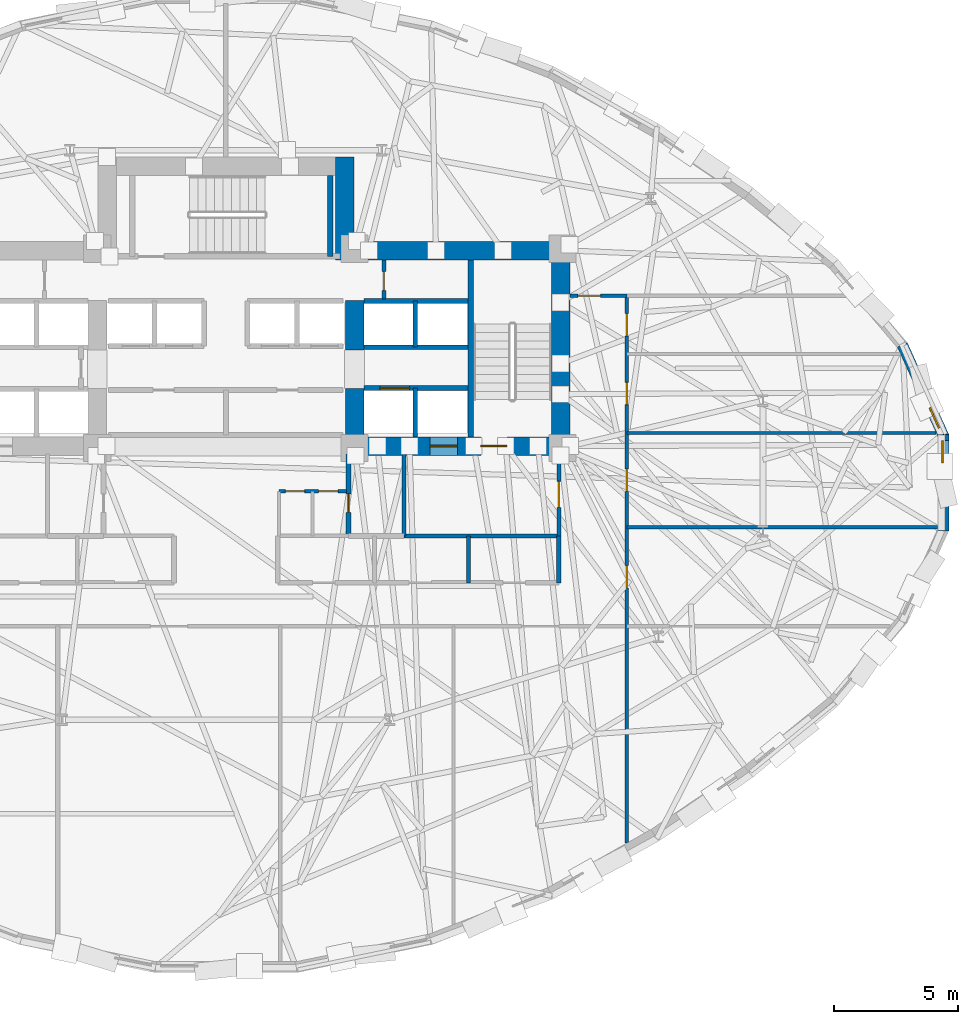
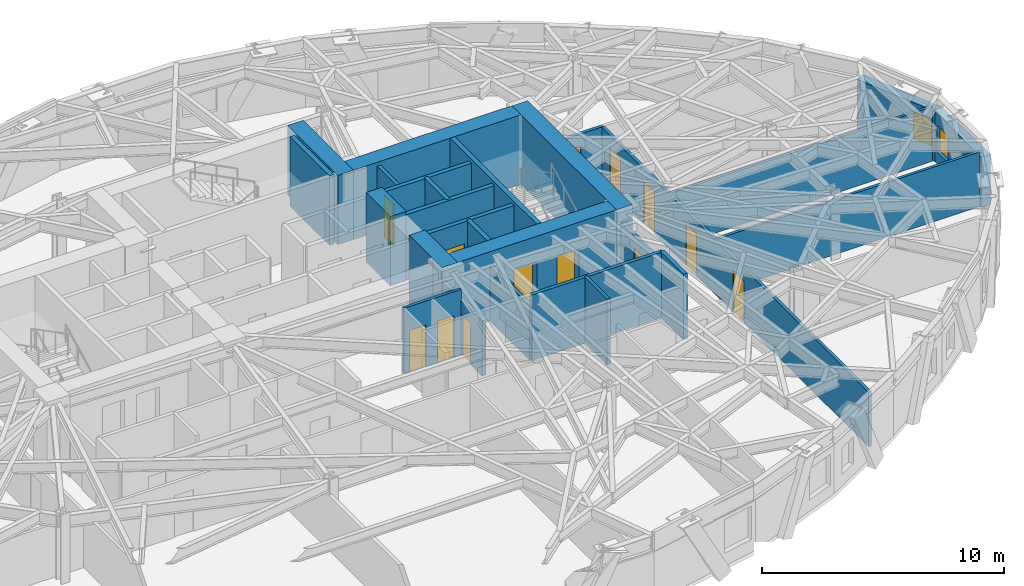
# One storey, part 9 of 14: 27 walls, 13 doors, 2 windows, 15 openings.
"""IFC4 building model written with IfcOpenShell, lengths in metres."""

import ifcopenshell
import ifcopenshell.guid

model = None  # the IFC model being written
_history = None  # IfcOwnerHistory: only IFC2X3 demands one
_inside = {}  # id of a spatial element -> (the spatial element, [elements in it])
_under = {}  # id of a project, library or spatial element -> (it, [spatial elements below it])
_declared = {}  # id of a project -> (the project, [libraries it declares])
_typed = {}  # id of a type object -> (the type object, [elements of that type])
_made_of = {}  # id of a material, layer set ... -> (it, [elements and type objects made of it])


def new_model(schema):
    """Start an empty IFC model of exactly this schema.

    Asked for "IFC4X3", IfcOpenShell would pick the latest addendum, in which some entities
    have other attributes; the version numbers below select the first issue.
    IFC2X3 requires an IfcOwnerHistory on every rooted entity: one is made here for all.
    """
    global model, _history
    if schema == "IFC4X3":
        model = ifcopenshell.file(schema_version=(4, 3, 0, 0))
    else:
        model = ifcopenshell.file(schema=schema)
    _inside.clear()
    _under.clear()
    _declared.clear()
    _typed.clear()
    _made_of.clear()
    _history = None
    if model.schema == "IFC2X3":
        org = make("IfcOrganization", Name="unknown")
        user = make(
            "IfcPersonAndOrganization",
            ThePerson=make("IfcPerson", FamilyName="unknown"),
            TheOrganization=org,
        )
        app = make(
            "IfcApplication",
            ApplicationDeveloper=org,
            Version="unknown",
            ApplicationFullName="unknown",
            ApplicationIdentifier="unknown",
        )
        _history = make(
            "IfcOwnerHistory",
            OwningUser=user,
            OwningApplication=app,
            ChangeAction="ADDED",
            CreationDate=0,
        )
    return model


def make(cls, **values):
    """One entity of the class cls with the attributes given. An attribute that is None is left unset."""
    return model.create_entity(
        cls, **{name: value for name, value in values.items() if value is not None}
    )


def rooted(cls, **values):
    """An entity with a GlobalId (a new one), such as an element, a storey or a relation."""
    return make(cls, GlobalId=ifcopenshell.guid.new(), OwnerHistory=_history, **values)


def si_unit(unit_type, name, prefix=None):
    """IfcSIUnit, for example si_unit("LENGTHUNIT", "METRE", prefix="MILLI")."""
    return make("IfcSIUnit", UnitType=unit_type, Prefix=prefix, Name=name)


def assignment(units):
    """IfcUnitAssignment: the units of a project."""
    return None if units is None else make("IfcUnitAssignment", Units=units)


def point(xyz):
    """IfcCartesianPoint."""
    return None if xyz is None else make("IfcCartesianPoint", Coordinates=xyz)


def direction(xyz):
    """IfcDirection."""
    return None if xyz is None else make("IfcDirection", DirectionRatios=xyz)


def frame(location, z_axis=None, x_axis=None):
    """IfcAxis2Placement3D, a coordinate frame: its origin and axes. An axis left out is left unset."""
    return make(
        "IfcAxis2Placement3D",
        Location=point(location),
        Axis=direction(z_axis),
        RefDirection=direction(x_axis),
    )


def frame_2d(location, x_axis=None):
    """IfcAxis2Placement2D, a coordinate frame in the plane: its origin and x axis."""
    return make(
        "IfcAxis2Placement2D", Location=point(location), RefDirection=direction(x_axis)
    )


def origin():
    """The frame at (0, 0, 0) with its axes left unset."""
    return frame((0.0, 0.0, 0.0))


def place(relative_to, where):
    """IfcLocalPlacement: puts the frame where relative to a parent placement (None: the world)."""
    return make(
        "IfcLocalPlacement", PlacementRelTo=relative_to, RelativePlacement=where
    )


def context(
    kind, dimensions, precision=None, world=None, true_north=None, identifier=None
):
    """IfcGeometricRepresentationContext, for example the 3D "Model" context."""
    return make(
        "IfcGeometricRepresentationContext",
        ContextIdentifier=identifier,
        ContextType=kind,
        CoordinateSpaceDimension=dimensions,
        Precision=precision,
        WorldCoordinateSystem=world,
        TrueNorth=true_north,
    )


def subcontext(parent, identifier, kind, view, scale=None):
    """IfcGeometricRepresentationSubContext, for example "Body" below "Model"."""
    return make(
        "IfcGeometricRepresentationSubContext",
        ContextIdentifier=identifier,
        ContextType=kind,
        ParentContext=parent,
        TargetScale=scale,
        TargetView=view,
    )


def project(units=None, contexts=None):
    """IfcProject with its units and contexts."""
    return rooted(
        "IfcProject",
        Name="project",
        RepresentationContexts=contexts,
        UnitsInContext=assignment(units),
    )


def spatial(cls, under=None, at=None, **own):
    """A site, building, storey or space (cls), placed at a placement, below another one or the project."""
    s = rooted(cls, ObjectPlacement=at, **own)
    if under is not None:
        _under.setdefault(under.id(), (under, []))[1].append(s)
    return s


def profile(cls, at=None, kind="AREA", **sizes):
    """A parametric profile (cls). Its sizes go by their IFC names, for example OverallWidth=200.0."""
    return make(cls, ProfileType=kind, Position=at, **sizes)


def rectangle(**sizes):
    """IfcRectangleProfileDef."""
    return profile("IfcRectangleProfileDef", **sizes)


def extrude(swept, where, along, depth):
    """IfcExtrudedAreaSolid: the profile swept, set in the frame where, extruded along a direction by depth."""
    return make(
        "IfcExtrudedAreaSolid",
        SweptArea=swept,
        Position=where,
        ExtrudedDirection=direction(along),
        Depth=depth,
    )


def shape(context_of_items, identifier, shape_type, items):
    """IfcShapeRepresentation: the items that make up one representation, for example the "Body"."""
    return make(
        "IfcShapeRepresentation",
        ContextOfItems=context_of_items,
        RepresentationIdentifier=identifier,
        RepresentationType=shape_type,
        Items=items,
    )


def material(Name=None, Category=None):
    """IfcMaterial."""
    return make("IfcMaterial", Name=Name, Category=Category)


def layer(
    of_material, thickness, ventilated=None, Name=None, Category=None, Priority=None
):
    """IfcMaterialLayer: one layer of a wall or slab, of a material (None: an air gap)."""
    return make(
        "IfcMaterialLayer",
        Material=of_material,
        LayerThickness=thickness,
        IsVentilated=ventilated,
        Name=Name,
        Category=Category,
        Priority=Priority,
    )


def layer_set(layers, Name=None):
    """IfcMaterialLayerSet."""
    return make("IfcMaterialLayerSet", MaterialLayers=layers, LayerSetName=Name)


def made_of(thing, what):
    """Note that an element or type object is made of a material, layer set ...; save() writes the relation."""
    if what is not None:
        _made_of.setdefault(what.id(), (what, []))[1].append(thing)
    return thing


def type_object(cls, material=None, **own):
    """A type object (cls), such as IfcWallType, which elements share."""
    return made_of(rooted(cls, **own), material)


def element(
    cls,
    number,
    at=None,
    inside=None,
    cuts=None,
    type_object=None,
    material=None,
    context=None,
    identifier="Body",
    shape_type=None,
    held_by="IfcProductDefinitionShape",
    body=None,
    shapes=None,
    **own,
):
    """One element of the class cls, such as IfcWall. Its Tag is "e" and its number.

    at: its placement. inside: the storey or other place that contains it. cuts: it is an
    opening in that element (IfcRelVoidsElement). A single representation is given by context,
    identifier, shape_type and body (its items); several are given by shapes. held_by: the class
    of the entity that holds the representations. save() writes the other relations.
    """
    e = rooted(cls, Tag="e%d" % number, ObjectPlacement=at, **own)
    if body is not None:
        shapes = [shape(context, identifier, shape_type, body)]
    if shapes is not None:
        e.Representation = make(held_by, Representations=shapes)
    if inside is not None:
        _inside.setdefault(inside.id(), (inside, []))[1].append(e)
    if cuts is not None:
        rooted(
            "IfcRelVoidsElement", RelatingBuildingElement=cuts, RelatedOpeningElement=e
        )
    if type_object is not None:
        _typed.setdefault(type_object.id(), (type_object, []))[1].append(e)
    return made_of(e, material)


def fill(opening, filler):
    """IfcRelFillsElement: the door or window that sits in an opening."""
    return rooted(
        "IfcRelFillsElement",
        RelatingOpeningElement=opening,
        RelatedBuildingElement=filler,
    )


def aggregate(whole, parts):
    """IfcRelAggregates: a whole, such as a stair, and the parts it consists of."""
    return rooted("IfcRelAggregates", RelatingObject=whole, RelatedObjects=parts)


def save(model, path):
    """Write the relations noted so far, then the file.

    IfcRelAggregates (storeys below a building ...), IfcRelContainedInSpatialStructure (elements
    in a storey), IfcRelDefinesByType, IfcRelAssociatesMaterial and IfcRelDeclares: one each for
    every whole, place, type object, material and project.
    """
    for whole, parts in _under.values():
        aggregate(whole, parts)
    for where, things in _inside.values():
        rooted(
            "IfcRelContainedInSpatialStructure",
            RelatedElements=things,
            RelatingStructure=where,
        )
    for kind, things in _typed.values():
        rooted("IfcRelDefinesByType", RelatedObjects=things, RelatingType=kind)
    for what, things in _made_of.values():
        rooted("IfcRelAssociatesMaterial", RelatedObjects=things, RelatingMaterial=what)
    for by, libraries in _declared.values():
        rooted("IfcRelDeclares", RelatingContext=by, RelatedDefinitions=libraries)
    model.write(path)


model = new_model("IFC4")

# Units and contexts
model_context = context("Model", 3, precision=1e-05, world=origin(), true_north=direction((0.0, 1.0)))
body_context = subcontext(model_context, "Body", "Model", "MODEL_VIEW")
ifc_project = project(units=[si_unit("LENGTHUNIT", "METRE"), si_unit("AREAUNIT", "SQUARE_METRE"), si_unit("VOLUMEUNIT", "CUBIC_METRE"), si_unit("PLANEANGLEUNIT", "RADIAN"), si_unit("MASSUNIT", "GRAM", prefix="KILO")], contexts=[model_context])

# Site, building, storey
site_placement = place(None, origin())
site = spatial("IfcSite", under=ifc_project, at=site_placement, CompositionType="ELEMENT")
building_placement = place(site_placement, origin())
building = spatial("IfcBuilding", under=site, at=building_placement, Name="Keldmark Tower", CompositionType="ELEMENT")
storey_placement = place(building_placement, frame((0.0, 0.0, 86.10009765625)))
storey = spatial("IfcBuildingStorey", under=building, at=storey_placement, Name="L22", CompositionType="ELEMENT", Elevation=86.10009765625)

# Wall, openings, doors
ifc_material_1 = material(Name="Acoustic Double-Layer Gypsum Corridor Partition", Category="gypsum")
ifc_layer_1 = layer(ifc_material_1, 0.139892578125)
ifc_layer_set_1 = layer_set([ifc_layer_1], Name="Acoustic Double-Layer Gypsum Corridor Partition")
wall_type_1 = type_object("IfcWallType", Name="Acoustic Corridor Partition 140 mm", PredefinedType="PARTITIONING", material=ifc_layer_set_1)
wall_1_placement = place(storey_placement, frame((16.199951171875, -14.554443359375, 0.0), z_axis=(0.0, 0.0, 1.0), x_axis=(0.0, 1.0, 0.0)))
wall_1 = element("IfcWall", 1, at=wall_1_placement, inside=storey, type_object=wall_type_1, Name="L22 Acoustic Corridor Partition 140 mm COR-E", PredefinedType="PARTITIONING", context=body_context, shape_type="SweptSolid", body=[
    extrude(rectangle(XDim=22.1044921875, YDim=0.139892578125, at=frame_2d((11.05224609375, 0.0))), origin(), (0.0, 0.0, 1.0), 2.7509765625),
])
opening_1_placement = place(wall_1_placement, frame((10.30419921875, 0.0, 0.0)))
opening_1 = element("IfcOpeningElement", 2, at=opening_1_placement, cuts=wall_1, Name="Opening D-IN090", PredefinedType="OPENING", context=body_context, shape_type="SweptSolid", body=[
    extrude(rectangle(XDim=0.89990234375, YDim=2.10009765625, at=frame_2d((0.449951171875, 1.050048828125))), frame((0.0, 0.079833984375, 0.0), z_axis=(0.0, -1.0, 0.0), x_axis=(1.0, 0.0, 0.0)), (0.0, 0.0, 1.0), 0.159912109375),
])
opening_2_placement = place(wall_1_placement, frame((14.204345703125, 0.0, 0.0)))
opening_2 = element("IfcOpeningElement", 3, at=opening_2_placement, cuts=wall_1, Name="Opening D-IN090", PredefinedType="OPENING", context=body_context, shape_type="SweptSolid", body=[
    extrude(rectangle(XDim=0.89990234375, YDim=2.10009765625, at=frame_2d((0.449951171875, 1.050048828125))), frame((0.0, 0.079833984375, 0.0), z_axis=(0.0, -1.0, 0.0), x_axis=(1.0, 0.0, 0.0)), (0.0, 0.0, 1.0), 0.159912109375),
])
opening_3_placement = place(wall_1_placement, frame((17.704345703125, 0.0, 0.0)))
opening_3 = element("IfcOpeningElement", 4, at=opening_3_placement, cuts=wall_1, Name="Opening D-IN090", PredefinedType="OPENING", context=body_context, shape_type="SweptSolid", body=[
    extrude(rectangle(XDim=0.89990234375, YDim=2.10009765625, at=frame_2d((0.449951171875, 1.050048828125))), frame((0.0, 0.079833984375, 0.0), z_axis=(0.0, -1.0, 0.0), x_axis=(1.0, 0.0, 0.0)), (0.0, 0.0, 1.0), 0.159912109375),
])
opening_4_placement = place(wall_1_placement, frame((20.479248046875, 0.0, 0.0)))
opening_4 = element("IfcOpeningElement", 5, at=opening_4_placement, cuts=wall_1, Name="Opening D-IN090", PredefinedType="OPENING", context=body_context, shape_type="SweptSolid", body=[
    extrude(rectangle(XDim=0.89990234375, YDim=2.10009765625, at=frame_2d((0.449951171875, 1.050048828125))), frame((0.0, 0.079833984375, 0.0), z_axis=(0.0, -1.0, 0.0), x_axis=(1.0, 0.0, 0.0)), (0.0, 0.0, 1.0), 0.159912109375),
])
ifc_material_2 = material(Name="Stained American White Oak Veneer", Category="wood")
door_type_1 = type_object("IfcDoorType", Name="Interior Door 900x2100", OperationType="NOTDEFINED", PredefinedType="DOOR", material=ifc_material_2)
door_1_placement = place(opening_1_placement, origin())
door_1 = element("IfcDoor", 6, at=door_1_placement, inside=storey, type_object=door_type_1, Name="L22 Interior Door 900x2100 D-ER-1-L22", OperationType="SINGLE_SWING_RIGHT", OverallHeight=2.10009765625, OverallWidth=0.89990234375, PredefinedType="DOOR", context=body_context, shape_type="SweptSolid", body=[
    extrude(rectangle(XDim=0.89990234375, YDim=2.10009765625, at=frame_2d((0.449951171875, 1.050048828125))), frame((0.0, 0.02490234375, 0.0), z_axis=(0.0, -1.0, 0.0), x_axis=(1.0, 0.0, 0.0)), (0.0, 0.0, 1.0), 0.050048828125),
])
fill(opening_1, door_1)
door_2_placement = place(opening_2_placement, origin())
door_2 = element("IfcDoor", 7, at=door_2_placement, inside=storey, type_object=door_type_1, Name="L22 Interior Door 900x2100 D-ER-2-L22", OperationType="SINGLE_SWING_LEFT", OverallHeight=2.10009765625, OverallWidth=0.89990234375, PredefinedType="DOOR", context=body_context, shape_type="SweptSolid", body=[
    extrude(rectangle(XDim=0.89990234375, YDim=2.10009765625, at=frame_2d((0.449951171875, 1.050048828125))), frame((0.0, 0.02490234375, 0.0), z_axis=(0.0, -1.0, 0.0), x_axis=(1.0, 0.0, 0.0)), (0.0, 0.0, 1.0), 0.050048828125),
])
fill(opening_2, door_2)
door_3_placement = place(opening_3_placement, origin())
door_3 = element("IfcDoor", 8, at=door_3_placement, inside=storey, type_object=door_type_1, Name="L22 Interior Door 900x2100 D-ER-3-L22", OperationType="SINGLE_SWING_RIGHT", OverallHeight=2.10009765625, OverallWidth=0.89990234375, PredefinedType="DOOR", context=body_context, shape_type="SweptSolid", body=[
    extrude(rectangle(XDim=0.89990234375, YDim=2.10009765625, at=frame_2d((0.449951171875, 1.050048828125))), frame((0.0, 0.02490234375, 0.0), z_axis=(0.0, -1.0, 0.0), x_axis=(1.0, 0.0, 0.0)), (0.0, 0.0, 1.0), 0.050048828125),
])
fill(opening_3, door_3)
door_4_placement = place(opening_4_placement, origin())
door_4 = element("IfcDoor", 9, at=door_4_placement, inside=storey, type_object=door_type_1, Name="L22 Interior Door 900x2100 D-ER-4-L22", OperationType="SINGLE_SWING_LEFT", OverallHeight=2.10009765625, OverallWidth=0.89990234375, PredefinedType="DOOR", context=body_context, shape_type="SweptSolid", body=[
    extrude(rectangle(XDim=0.89990234375, YDim=2.10009765625, at=frame_2d((0.449951171875, 1.050048828125))), frame((0.0, 0.02490234375, 0.0), z_axis=(0.0, -1.0, 0.0), x_axis=(1.0, 0.0, 0.0)), (0.0, 0.0, 1.0), 0.050048828125),
])
fill(opening_4, door_4)

# Wall, opening, door
wall_2_placement = place(storey_placement, frame((13.89990234375, 7.550048828125, 0.0), z_axis=(0.0, 0.0, 1.0), x_axis=(1.0, 0.0, 0.0)))
wall_2 = element("IfcWall", 10, at=wall_2_placement, inside=storey, type_object=wall_type_1, Name="L22 Acoustic Corridor Partition 140 mm COR-EN-CAP", PredefinedType="PARTITIONING", context=body_context, shape_type="SweptSolid", body=[
    extrude(rectangle(XDim=2.300048828125, YDim=0.139892578125, at=frame_2d((1.14990234375, 0.0))), origin(), (0.0, 0.0, 1.0), 2.762939453125),
])
opening_5_placement = place(wall_2_placement, frame((0.320068359375, 0.0, 0.0)))
opening_5 = element("IfcOpeningElement", 11, at=opening_5_placement, cuts=wall_2, Name="Opening D-EX092", PredefinedType="OPENING", context=body_context, shape_type="SweptSolid", body=[
    extrude(rectangle(XDim=0.919921875, YDim=2.14990234375, at=frame_2d((0.4599609375, 1.074951171875))), frame((0.0, 0.079833984375, 0.0), z_axis=(0.0, -1.0, 0.0), x_axis=(1.0, 0.0, 0.0)), (0.0, 0.0, 1.0), 0.159912109375),
])
ifc_material_3 = material(Name="Flush American Ash Executive Office Door", Category="wood")
door_type_2 = type_object("IfcDoorType", Name="Executive Office Door 920x2150", OperationType="NOTDEFINED", PredefinedType="DOOR", material=ifc_material_3)
door_5_placement = place(opening_5_placement, origin())
door_5 = element("IfcDoor", 12, at=door_5_placement, inside=storey, type_object=door_type_2, Name="L22 Executive Office Door 920x2150 D-NRNE-L22", OperationType="SINGLE_SWING_RIGHT", OverallHeight=2.14990234375, OverallWidth=0.919921875, PredefinedType="DOOR", context=body_context, shape_type="SweptSolid", body=[
    extrude(rectangle(XDim=0.919921875, YDim=2.14990234375, at=frame_2d((0.4599609375, 1.074951171875))), frame((0.0, 0.02490234375, 0.0), z_axis=(0.0, -1.0, 0.0), x_axis=(1.0, 0.0, 0.0)), (0.0, 0.0, 1.0), 0.050048828125),
])
fill(opening_5, door_5)

# Wall
ifc_material_4 = material(Name="Heavy Acoustic Plumbing Chase Gypsum Assembly", Category="gypsum")
ifc_layer_2 = layer(ifc_material_4, 0.18994140625)
ifc_layer_set_2 = layer_set([ifc_layer_2], Name="Heavy Acoustic Plumbing Chase Gypsum Assembly")
wall_type_2 = type_object("IfcWallType", Name="Heavy Wet Wall 190 mm", PredefinedType="PLUMBINGWALL", material=ifc_layer_set_2)
wall_3_placement = place(storey_placement, frame((13.449951171875, -4.050048828125, 0.0), z_axis=(0.0, 0.0, 1.0), x_axis=(0.0, 1.0, 0.0)))
element("IfcWall", 13, at=wall_3_placement, inside=storey, type_object=wall_type_2, Name="L22 Heavy Wet Wall 190 mm SPK-E-E", PredefinedType="PLUMBINGWALL", context=body_context, shape_type="SweptSolid", body=[
    extrude(rectangle(XDim=1.900146484375, YDim=0.18994140625, at=frame_2d((0.9501953125, 0.0))), origin(), (0.0, 0.0, 1.0), 3.309814453125),
])

# Wall, openings, doors
ifc_material_5 = material(Name="Acoustic Gypsum Board Interior Partition", Category="gypsum")
ifc_layer_3 = layer(ifc_material_5, 0.1298828125)
ifc_layer_set_3 = layer_set([ifc_layer_3], Name="Acoustic Gypsum Board Interior Partition")
wall_type_3 = type_object("IfcWallType", Name="Interior Partition 130 mm", PredefinedType="PARTITIONING", material=ifc_layer_set_3)
wall_4_placement = place(storey_placement, frame((2.14990234375, -0.35009765625, 0.0), z_axis=(0.0, 0.0, 1.0), x_axis=(1.0, 0.0, 0.0)))
wall_4 = element("IfcWall", 14, at=wall_4_placement, inside=storey, type_object=wall_type_3, Name="L22 Interior Partition 130 mm CSC-E-N", PredefinedType="PARTITIONING", context=body_context, shape_type="SweptSolid", body=[
    extrude(rectangle(XDim=2.72998046875, YDim=0.1298828125, at=frame_2d((1.364990234375, 0.0))), origin(), (0.0, 0.0, 1.0), 3.309814453125),
])
opening_6_placement = place(wall_4_placement, frame((0.25, 0.0, 0.0)))
opening_6 = element("IfcOpeningElement", 15, at=opening_6_placement, cuts=wall_4, Name="Opening D-CL078", PredefinedType="OPENING", context=body_context, shape_type="SweptSolid", body=[
    extrude(rectangle(XDim=0.780029296875, YDim=2.10009765625, at=frame_2d((0.39013671875, 1.050048828125))), frame((0.0, 0.074951171875, 0.0), z_axis=(0.0, -1.0, 0.0), x_axis=(1.0, 0.0, 0.0)), (0.0, 0.0, 1.0), 0.14990234375),
])
opening_7_placement = place(wall_4_placement, frame((1.60009765625, 0.0, 0.0)))
opening_7 = element("IfcOpeningElement", 16, at=opening_7_placement, cuts=wall_4, Name="Opening D-CL078", PredefinedType="OPENING", context=body_context, shape_type="SweptSolid", body=[
    extrude(rectangle(XDim=0.780029296875, YDim=2.10009765625, at=frame_2d((0.39013671875, 1.050048828125))), frame((0.0, 0.074951171875, 0.0), z_axis=(0.0, -1.0, 0.0), x_axis=(1.0, 0.0, 0.0)), (0.0, 0.0, 1.0), 0.14990234375),
])
ifc_material_6 = material(Name="Flush Utility Closet Timber Door", Category="wood")
door_type_3 = type_object("IfcDoorType", Name="Closet Door 780x2100", OperationType="NOTDEFINED", PredefinedType="DOOR", material=ifc_material_6)
door_6_placement = place(opening_6_placement, origin())
door_6 = element("IfcDoor", 17, at=door_6_placement, inside=storey, type_object=door_type_3, Name="L22 Closet Door 780x2100 D-CSCE1-L22", OperationType="SINGLE_SWING_LEFT", OverallHeight=2.10009765625, OverallWidth=0.780029296875, PredefinedType="DOOR", context=body_context, shape_type="SweptSolid", body=[
    extrude(rectangle(XDim=0.780029296875, YDim=2.10009765625, at=frame_2d((0.39013671875, 1.050048828125))), frame((0.0, 0.02490234375, 0.0), z_axis=(0.0, -1.0, 0.0), x_axis=(1.0, 0.0, 0.0)), (0.0, 0.0, 1.0), 0.050048828125),
])
fill(opening_6, door_6)
door_7_placement = place(opening_7_placement, origin())
door_7 = element("IfcDoor", 18, at=door_7_placement, inside=storey, type_object=door_type_3, Name="L22 Closet Door 780x2100 D-CSCE2-L22", OperationType="SINGLE_SWING_RIGHT", OverallHeight=2.10009765625, OverallWidth=0.780029296875, PredefinedType="DOOR", context=body_context, shape_type="SweptSolid", body=[
    extrude(rectangle(XDim=0.780029296875, YDim=2.10009765625, at=frame_2d((0.39013671875, 1.050048828125))), frame((0.0, 0.02490234375, 0.0), z_axis=(0.0, -1.0, 0.0), x_axis=(1.0, 0.0, 0.0)), (0.0, 0.0, 1.0), 0.050048828125),
])
fill(opening_7, door_7)

# Walls
wall_5_placement = place(storey_placement, frame((16.199951171875, -1.800048828125, 0.0), z_axis=(0.0, 0.0, 1.0), x_axis=(1.0, 0.0, 0.0)))
element("IfcWall", 19, at=wall_5_placement, inside=storey, type_object=wall_type_3, Name="L22 Interior Partition 130 mm E-DIV-1", PredefinedType="PARTITIONING", context=body_context, shape_type="SweptSolid", body=[
    extrude(rectangle(XDim=12.56005859375, YDim=0.1298828125, at=frame_2d((6.280029296875, 0.0))), origin(), (0.0, 0.0, 1.0), 2.7509765625),
])
wall_6_placement = place(storey_placement, frame((16.199951171875, 2.0, 0.0), z_axis=(0.0, 0.0, 1.0), x_axis=(1.0, 0.0, 0.0)))
element("IfcWall", 20, at=wall_6_placement, inside=storey, type_object=wall_type_3, Name="L22 Interior Partition 130 mm E-DIV-2", PredefinedType="PARTITIONING", context=body_context, shape_type="SweptSolid", body=[
    extrude(rectangle(XDim=12.49365234375, YDim=0.1298828125, at=frame_2d((6.246826171875, 0.0))), origin(), (0.0, 0.0, 1.0), 2.7509765625),
])
ifc_material_7 = material(Name="Concrete C70/85", Category="concrete")
ifc_layer_4 = layer(ifc_material_7, 0.75)
ifc_layer_set_4 = layer_set([ifc_layer_4], Name="Concrete C70/85")
wall_type_4 = type_object("IfcWallType", Name="Low-Mid Core Shear Wall 750 mm", PredefinedType="SHEAR", material=ifc_layer_set_4)
wall_7_placement = place(storey_placement, frame((13.52490234375, 1.10009765625, 0.0), z_axis=(0.0, 0.0, 1.0), x_axis=(0.0, 1.0, 0.0)))
element("IfcWall", 21, at=wall_7_placement, inside=storey, type_object=wall_type_4, Name="L22 East Core Outer Shear Wall", PredefinedType="SHEAR", context=body_context, shape_type="SweptSolid", body=[
    extrude(rectangle(XDim=8.64990234375, YDim=0.75, at=frame_2d((4.324951171875, 0.0))), origin(), (0.0, 0.0, 1.0), 3.5),
])
wall_8_placement = place(storey_placement, frame((4.425048828125, 9.375, 0.0), z_axis=(0.0, 0.0, 1.0), x_axis=(1.0, 0.0, 0.0)))
element("IfcWall", 22, at=wall_8_placement, inside=storey, type_object=wall_type_4, Name="L22 East Core North Shear Wall", PredefinedType="SHEAR", context=body_context, shape_type="SweptSolid", body=[
    extrude(rectangle(XDim=9.474853515625, YDim=0.75, at=frame_2d((4.7373046875, 0.0))), origin(), (0.0, 0.0, 1.0), 3.5),
])

# Wall, openings, doors
wall_9_placement = place(storey_placement, frame((13.89990234375, 1.47509765625, 0.0), z_axis=(0.0, 0.0, 1.0), x_axis=(-1.0, 0.0, 0.0)))
wall_9 = element("IfcWall", 23, at=wall_9_placement, inside=storey, type_object=wall_type_4, Name="L22 East Core South Shear Wall", PredefinedType="SHEAR", context=body_context, shape_type="SweptSolid", body=[
    extrude(rectangle(XDim=9.074951171875, YDim=0.75, at=frame_2d((4.53759765625, 0.0))), origin(), (0.0, 0.0, 1.0), 3.5),
])
opening_8_placement = place(wall_9_placement, frame((2.550048828125, 0.0, 0.0)))
opening_8 = element("IfcOpeningElement", 24, at=opening_8_placement, cuts=wall_9, Name="Opening D-ST105", PredefinedType="OPENING", context=body_context, shape_type="SweptSolid", body=[
    extrude(rectangle(XDim=1.050048828125, YDim=2.14990234375, at=frame_2d((0.52490234375, 1.074951171875))), frame((0.0, 0.385009765625, 0.0), z_axis=(0.0, -1.0, 0.0), x_axis=(1.0, 0.0, 0.0)), (0.0, 0.0, 1.0), 0.77001953125),
])
opening_9_placement = place(wall_9_placement, frame((4.550048828125, 0.0, 0.0)))
opening_9 = element("IfcOpeningElement", 25, at=opening_9_placement, cuts=wall_9, Name="Opening LD-110", PredefinedType="OPENING", context=body_context, shape_type="SweptSolid", body=[
    extrude(rectangle(XDim=1.10009765625, YDim=2.199951171875, at=frame_2d((0.550048828125, 1.10009765625))), frame((0.0, 0.385009765625, 0.0), z_axis=(0.0, -1.0, 0.0), x_axis=(1.0, 0.0, 0.0)), (0.0, 0.0, 1.0), 0.77001953125),
])
ifc_material_8 = material(Name="Brushed Bronze Hoistway Sliding Leaf", Category="metal")
door_type_4 = type_object("IfcDoorType", Name="Lift Landing Sliding Door 1100x2200", OperationType="SLIDING_TO_LEFT", PredefinedType="DOOR", material=ifc_material_8)
door_8_placement = place(opening_9_placement, origin())
door_8 = element("IfcDoor", 26, at=door_8_placement, inside=storey, type_object=door_type_4, Name="L22 Lift Landing Sliding Door 1100x2200 LD-EL-FS2-L22", OperationType="SLIDING_TO_LEFT", OverallHeight=2.199951171875, OverallWidth=1.10009765625, PredefinedType="DOOR", context=body_context, shape_type="SweptSolid", body=[
    extrude(rectangle(XDim=1.10009765625, YDim=2.199951171875, at=frame_2d((0.550048828125, 1.10009765625))), frame((0.0, 0.02490234375, 0.0), z_axis=(0.0, -1.0, 0.0), x_axis=(1.0, 0.0, 0.0)), (0.0, 0.0, 1.0), 0.050048828125),
])
fill(opening_9, door_8)
ifc_material_9 = material(Name="Hollow Metal Fire-Rated Door Assembly", Category="metal")
door_type_5 = type_object("IfcDoorType", Name="Stair Fire Door 1050x2150", OperationType="NOTDEFINED", PredefinedType="DOOR", material=ifc_material_9)
door_9_placement = place(opening_8_placement, origin())
door_9 = element("IfcDoor", 27, at=door_9_placement, inside=storey, type_object=door_type_5, Name="L22 Stair Fire Door 1050x2150 D-ST2-L22", OperationType="SINGLE_SWING_LEFT", OverallHeight=2.14990234375, OverallWidth=1.050048828125, PredefinedType="DOOR", context=body_context, shape_type="SweptSolid", body=[
    extrude(rectangle(XDim=1.050048828125, YDim=2.14990234375, at=frame_2d((0.52490234375, 1.074951171875))), frame((0.0, 0.02490234375, 0.0), z_axis=(0.0, -1.0, 0.0), x_axis=(1.0, 0.0, 0.0)), (0.0, 0.0, 1.0), 0.050048828125),
])
fill(opening_8, door_9)

# Walls
wall_10_placement = place(storey_placement, frame((5.199951171875, 1.10009765625, 0.0), z_axis=(0.0, 0.0, 1.0), x_axis=(0.0, 1.0, 0.0)))
element("IfcWall", 28, at=wall_10_placement, inside=storey, type_object=wall_type_4, Name="L22 East Core Inner Shear Pier South", PredefinedType="SHEAR", context=body_context, shape_type="SweptSolid", body=[
    extrude(rectangle(XDim=2.699951171875, YDim=0.75, at=frame_2d((1.35009765625, 0.0))), origin(), (0.0, 0.0, 1.0), 3.5),
])
wall_11_placement = place(storey_placement, frame((5.199951171875, 5.35009765625, 0.0), z_axis=(0.0, 0.0, 1.0), x_axis=(0.0, 1.0, 0.0)))
element("IfcWall", 29, at=wall_11_placement, inside=storey, type_object=wall_type_4, Name="L22 East Core Inner Shear Pier North", PredefinedType="SHEAR", context=body_context, shape_type="SweptSolid", body=[
    extrude(rectangle(XDim=2.0, YDim=0.75, at=frame_2d((1.0, 0.0))), origin(), (0.0, 0.0, 1.0), 3.5),
])
wall_12_placement = place(storey_placement, frame((4.800048828125, 9.0, 0.0), z_axis=(0.0, 0.0, 1.0), x_axis=(0.0, 1.0, 0.0)))
element("IfcWall", 30, at=wall_12_placement, inside=storey, type_object=wall_type_4, Name="L22 North Core East Shear Wall", PredefinedType="SHEAR", context=body_context, shape_type="SweptSolid", body=[
    extrude(rectangle(XDim=4.14990234375, YDim=0.75, at=frame_2d((2.074951171875, 0.0))), origin(), (0.0, 0.0, 1.0), 3.5),
])
ifc_material_10 = material(Name="Type X Fire-Rated Gypsum Partition Assembly", Category="gypsum")
ifc_layer_5 = layer(ifc_material_10, 0.1650390625)
ifc_layer_set_5 = layer_set([ifc_layer_5], Name="Type X Fire-Rated Gypsum Partition Assembly")
wall_type_5 = type_object("IfcWallType", Name="Rated Partition 165 mm", PredefinedType="PARTITIONING", material=ifc_layer_set_5)
wall_13_placement = place(storey_placement, frame((7.199951171875, -2.14990234375, 0.0), z_axis=(0.0, 0.0, 1.0), x_axis=(1.0, 0.0, 0.0)))
element("IfcWall", 31, at=wall_13_placement, inside=storey, type_object=wall_type_5, Name="L22 Rated Partition 165 mm FSAE-E-S", PredefinedType="PARTITIONING", context=body_context, shape_type="SweptSolid", body=[
    extrude(rectangle(XDim=6.25, YDim=0.1650390625, at=frame_2d((3.125, 0.0))), origin(), (0.0, 0.0, 1.0), 3.309814453125),
])
wall_14_placement = place(storey_placement, frame((7.199951171875, -2.14990234375, 0.0), z_axis=(0.0, 0.0, 1.0), x_axis=(0.0, 1.0, 0.0)))
element("IfcWall", 32, at=wall_14_placement, inside=storey, type_object=wall_type_5, Name="L22 Rated Partition 165 mm FSAE-E-W", PredefinedType="PARTITIONING", context=body_context, shape_type="SweptSolid", body=[
    extrude(rectangle(XDim=3.2998046875, YDim=0.1650390625, at=frame_2d((1.64990234375, 0.0))), origin(), (0.0, 0.0, 1.0), 2.762939453125),
])

# Wall, opening, door
wall_15_placement = place(storey_placement, frame((13.449951171875, -2.14990234375, 0.0), z_axis=(0.0, 0.0, 1.0), x_axis=(0.0, 1.0, 0.0)))
wall_15 = element("IfcWall", 33, at=wall_15_placement, inside=storey, type_object=wall_type_5, Name="L22 Rated Partition 165 mm FSAE-E-E", PredefinedType="PARTITIONING", context=body_context, shape_type="SweptSolid", body=[
    extrude(rectangle(XDim=3.2998046875, YDim=0.1650390625, at=frame_2d((1.64990234375, 0.0))), origin(), (0.0, 0.0, 1.0), 2.762939453125),
])
opening_10_placement = place(wall_15_placement, frame((1.14990234375, 0.0, 0.0)))
opening_10 = element("IfcOpeningElement", 34, at=opening_10_placement, cuts=wall_15, Name="Opening D-FL105", PredefinedType="OPENING", context=body_context, shape_type="SweptSolid", body=[
    extrude(rectangle(XDim=1.050048828125, YDim=2.14990234375, at=frame_2d((0.52490234375, 1.074951171875))), frame((0.0, 0.092529296875, 0.0), z_axis=(0.0, -1.0, 0.0), x_axis=(1.0, 0.0, 0.0)), (0.0, 0.0, 1.0), 0.18505859375),
])
ifc_material_11 = material(Name="Fire-Rated Mineral-Core Door and Vision Lite", Category="metal")
door_type_6 = type_object("IfcDoorType", Name="Fire Lobby Door 1050x2150", OperationType="NOTDEFINED", PredefinedType="DOOR", material=ifc_material_11)
door_10_placement = place(opening_10_placement, origin())
door_10 = element("IfcDoor", 35, at=door_10_placement, inside=storey, type_object=door_type_6, Name="L22 Fire Lobby Door 1050x2150 D-FSAEE-OUT-L22", OperationType="SINGLE_SWING_LEFT", OverallHeight=2.14990234375, OverallWidth=1.050048828125, PredefinedType="DOOR", context=body_context, shape_type="SweptSolid", body=[
    extrude(rectangle(XDim=1.050048828125, YDim=2.14990234375, at=frame_2d((0.52490234375, 1.074951171875))), frame((0.0, 0.02490234375, 0.0), z_axis=(0.0, -1.0, 0.0), x_axis=(1.0, 0.0, 0.0)), (0.0, 0.0, 1.0), 0.050048828125),
])
fill(opening_10, door_10)

wall_16_placement = place(storey_placement, frame((6.3798828125, 7.419921875, 0.0), z_axis=(0.0, 0.0, 1.0), x_axis=(0.0, 1.0, 0.0)))
wall_16 = element("IfcWall", 36, at=wall_16_placement, inside=storey, type_object=wall_type_5, Name="L22 Rated Partition 165 mm CS-NE-W", PredefinedType="PARTITIONING", context=body_context, shape_type="SweptSolid", body=[
    extrude(rectangle(XDim=1.580078125, YDim=0.1650390625, at=frame_2d((0.7900390625, 0.0))), origin(), (0.0, 0.0, 1.0), 3.309814453125),
])
opening_11_placement = place(wall_16_placement, frame((0.35009765625, 0.0, 0.0)))
opening_11 = element("IfcOpeningElement", 37, at=opening_11_placement, cuts=wall_16, Name="Opening D-RS075", PredefinedType="OPENING", context=body_context, shape_type="SweptSolid", body=[
    extrude(rectangle(XDim=0.75, YDim=2.10009765625, at=frame_2d((0.375, 1.050048828125))), frame((0.0, 0.092529296875, 0.0), z_axis=(0.0, -1.0, 0.0), x_axis=(1.0, 0.0, 0.0)), (0.0, 0.0, 1.0), 0.18505859375),
])
ifc_material_12 = material(Name="Galvanized Fire-Rated Access Leaf", Category="metal")
door_type_7 = type_object("IfcDoorType", Name="Riser Access Door 750x2100", OperationType="NOTDEFINED", PredefinedType="DOOR", material=ifc_material_12)
door_11_placement = place(opening_11_placement, origin())
door_11 = element("IfcDoor", 38, at=door_11_placement, inside=storey, type_object=door_type_7, Name="L22 Riser Access Door 750x2100 D-CSNE1-L22", OperationType="SINGLE_SWING_LEFT", OverallHeight=2.10009765625, OverallWidth=0.75, PredefinedType="DOOR", context=body_context, shape_type="SweptSolid", body=[
    extrude(rectangle(XDim=0.75, YDim=2.10009765625, at=frame_2d((0.375, 1.050048828125))), frame((0.0, 0.02490234375, 0.0), z_axis=(0.0, -1.0, 0.0), x_axis=(1.0, 0.0, 0.0)), (0.0, 0.0, 1.0), 0.050048828125),
])
fill(opening_11, door_11)

ifc_material_13 = material(Name="Fire-Resistant Type X Gypsum Shaftliner Coreboard", Category="gypsum")
ifc_layer_6 = layer(ifc_material_13, 0.199951171875)
ifc_layer_set_6 = layer_set([ifc_layer_6], Name="Fire-Resistant Type X Gypsum Shaftliner Coreboard")
wall_type_6 = type_object("IfcWallType", Name="Shaft Wall 200 mm", PredefinedType="SOLIDWALL", material=ifc_layer_set_6)
wall_17_placement = place(storey_placement, frame((4.949951171875, -2.14990234375, 0.0), z_axis=(0.0, 0.0, 1.0), x_axis=(0.0, 1.0, 0.0)))
wall_17 = element("IfcWall", 39, at=wall_17_placement, inside=storey, type_object=wall_type_6, Name="L22 Shaft Wall 200 mm RIS-SE-W", PredefinedType="SOLIDWALL", context=body_context, shape_type="SweptSolid", body=[
    extrude(rectangle(XDim=3.2998046875, YDim=0.199951171875, at=frame_2d((1.64990234375, 0.0))), origin(), (0.0, 0.0, 1.0), 2.762939453125),
])
opening_12_placement = place(wall_17_placement, frame((0.949951171875, 0.0, 0.0)))
opening_12 = element("IfcOpeningElement", 40, at=opening_12_placement, cuts=wall_17, Name="Opening D-RS075", PredefinedType="OPENING", context=body_context, shape_type="SweptSolid", body=[
    extrude(rectangle(XDim=0.75, YDim=2.10009765625, at=frame_2d((0.375, 1.050048828125))), frame((0.0, 0.10986328125, 0.0), z_axis=(0.0, -1.0, 0.0), x_axis=(1.0, 0.0, 0.0)), (0.0, 0.0, 1.0), 0.219970703125),
])
door_12_placement = place(opening_12_placement, origin())
door_12 = element("IfcDoor", 41, at=door_12_placement, inside=storey, type_object=door_type_7, Name="L22 Riser Access Door 750x2100 D-RISSE-L22", OperationType="SINGLE_SWING_LEFT", OverallHeight=2.10009765625, OverallWidth=0.75, PredefinedType="DOOR", context=body_context, shape_type="SweptSolid", body=[
    extrude(rectangle(XDim=0.75, YDim=2.10009765625, at=frame_2d((0.375, 1.050048828125))), frame((0.0, 0.02490234375, 0.0), z_axis=(0.0, -1.0, 0.0), x_axis=(1.0, 0.0, 0.0)), (0.0, 0.0, 1.0), 0.050048828125),
])
fill(opening_12, door_12)

wall_18_placement = place(storey_placement, frame((5.574951171875, 3.820068359375, 0.0), z_axis=(0.0, 0.0, 1.0), x_axis=(1.0, 0.0, 0.0)))
wall_18 = element("IfcWall", 42, at=wall_18_placement, inside=storey, type_object=wall_type_6, Name="L22 Shaft Wall 200 mm HW-E-S", PredefinedType="SOLIDWALL", context=body_context, shape_type="SweptSolid", body=[
    extrude(rectangle(XDim=4.205078125, YDim=0.199951171875, at=frame_2d((2.1025390625, 0.0))), origin(), (0.0, 0.0, 1.0), 3.309814453125),
])
opening_13_placement = place(wall_18_placement, frame((0.64990234375, 0.0, 0.0)))
opening_13 = element("IfcOpeningElement", 43, at=opening_13_placement, cuts=wall_18, Name="Opening LD-120", PredefinedType="OPENING", context=body_context, shape_type="SweptSolid", body=[
    extrude(rectangle(XDim=1.199951171875, YDim=2.199951171875, at=frame_2d((0.60009765625, 1.10009765625))), frame((0.0, 0.10986328125, 0.0), z_axis=(0.0, -1.0, 0.0), x_axis=(1.0, 0.0, 0.0)), (0.0, 0.0, 1.0), 0.219970703125),
])
ifc_material_14 = material(Name="Heavy-Duty Brushed Metal Hoistway Sliding Leaf", Category="metal")
door_type_8 = type_object("IfcDoorType", Name="Service Lift Sliding Door 1200x2200", OperationType="SLIDING_TO_RIGHT", PredefinedType="DOOR", material=ifc_material_14)
door_13_placement = place(opening_13_placement, origin())
door_13 = element("IfcDoor", 44, at=door_13_placement, inside=storey, type_object=door_type_8, Name="L22 Service Lift Sliding Door 1200x2200 LD-EL-SV1-L22", OperationType="SLIDING_TO_RIGHT", OverallHeight=2.199951171875, OverallWidth=1.199951171875, PredefinedType="DOOR", context=body_context, shape_type="SweptSolid", body=[
    extrude(rectangle(XDim=1.199951171875, YDim=2.199951171875, at=frame_2d((0.60009765625, 1.10009765625))), frame((0.0, 0.02490234375, 0.0), z_axis=(0.0, -1.0, 0.0), x_axis=(1.0, 0.0, 0.0)), (0.0, 0.0, 1.0), 0.050048828125),
])
fill(opening_13, door_13)

# Walls
wall_19_placement = place(storey_placement, frame((7.64990234375, 1.85009765625, 0.0), z_axis=(0.0, 0.0, 1.0), x_axis=(0.0, 1.0, 0.0)))
element("IfcWall", 45, at=wall_19_placement, inside=storey, type_object=wall_type_6, Name="L22 Shaft Wall 200 mm HW-E-M", PredefinedType="SOLIDWALL", context=body_context, shape_type="SweptSolid", body=[
    extrude(rectangle(XDim=1.969970703125, YDim=0.199951171875, at=frame_2d((0.98486328125, 0.0))), origin(), (0.0, 0.0, 1.0), 3.309814453125),
])
for number, where, z_axis, x_axis, name in (
    (46, (5.574951171875, 5.469970703125, 0.0), (0.0, 0.0, 1.0), (1.0, 0.0, 0.0), "L22 Shaft Wall 200 mm HW-E-N"),
    (47, (5.574951171875, 7.330078125, 0.0), (0.0, 0.0, 1.0), (1.0, 0.0, 0.0), "L22 Shaft Wall 200 mm HW-E-TOP"),
):
    element("IfcWall", number, at=place(storey_placement, frame(where, z_axis=z_axis, x_axis=x_axis)), inside=storey, type_object=wall_type_6, Name=name, PredefinedType="SOLIDWALL", context=body_context, shape_type="SweptSolid", body=[
        extrude(rectangle(XDim=4.205078125, YDim=0.199951171875, at=frame_2d((2.1025390625, 0.0))), origin(), (0.0, 0.0, 1.0), 3.309814453125),
    ])
wall_20_placement = place(storey_placement, frame((7.64990234375, 5.469970703125, 0.0), z_axis=(0.0, 0.0, 1.0), x_axis=(0.0, 1.0, 0.0)))
element("IfcWall", 48, at=wall_20_placement, inside=storey, type_object=wall_type_6, Name="L22 Shaft Wall 200 mm HW-E-NM", PredefinedType="SOLIDWALL", context=body_context, shape_type="SweptSolid", body=[
    extrude(rectangle(XDim=1.860107421875, YDim=0.199951171875, at=frame_2d((0.93017578125, 0.0))), origin(), (0.0, 0.0, 1.0), 3.309814453125),
])
ifc_material_15 = material(Name="Concrete C50/60", Category="concrete")
ifc_layer_7 = layer(ifc_material_15, 0.219970703125)
ifc_layer_set_7 = layer_set([ifc_layer_7], Name="Concrete C50/60")
wall_type_7 = type_object("IfcWallType", Name="Stair Core Shear Wall 220 mm", PredefinedType="SHEAR", material=ifc_layer_set_7)
wall_21_placement = place(storey_placement, frame((9.889892578125, 1.85009765625, 0.0), z_axis=(0.0, 0.0, 1.0), x_axis=(0.0, 1.0, 0.0)))
element("IfcWall", 49, at=wall_21_placement, inside=storey, type_object=wall_type_7, Name="L22 East Stair Core Shear Wall", PredefinedType="SHEAR", context=body_context, shape_type="SweptSolid", body=[
    extrude(rectangle(XDim=7.14990234375, YDim=0.219970703125, at=frame_2d((3.574951171875, 0.0))), origin(), (0.0, 0.0, 1.0), 3.5),
])
wall_22_placement = place(storey_placement, frame((4.215087890625, 9.139892578125, 0.0), z_axis=(0.0, 0.0, 1.0), x_axis=(0.0, 1.0, 0.0)))
element("IfcWall", 50, at=wall_22_placement, inside=storey, type_object=wall_type_7, Name="L22 Central Stair Core East Shear Wall", PredefinedType="SHEAR", context=body_context, shape_type="SweptSolid", body=[
    extrude(rectangle(XDim=3.260009765625, YDim=0.219970703125, at=frame_2d((1.6298828125, 0.0))), origin(), (0.0, 0.0, 1.0), 3.5),
])

# Wall, opening, window
ifc_material_16 = material(Name="Ironspot Manganese Brick and Kasota Buff Limestone Spandrel Assembly", Category="masonry")
ifc_layer_8 = layer(ifc_material_16, 0.43994140625)
ifc_layer_set_8 = layer_set([ifc_layer_8], Name="Ironspot Manganese Brick and Kasota Buff Limestone Spandrel Assembly")
wall_type_8 = type_object("IfcWallType", Name="Tower Brick Pier and Spandrel Wall 440 mm", PredefinedType="STANDARD", material=ifc_layer_set_8)
wall_23_placement = place(storey_placement, frame((27.33056640625, 5.5703125, 0.0), z_axis=(0.0, 0.0, 1.0), x_axis=(0.411809988363, -0.911269736952, 0.0)))
wall_23 = element("IfcWall", 51, at=wall_23_placement, inside=storey, type_object=wall_type_8, Name="L22 Exterior Brick and Spandrel Wall 01", PredefinedType="STANDARD", context=body_context, shape_type="SweptSolid", body=[
    extrude(rectangle(XDim=4.072265625, YDim=0.43994140625, at=frame_2d((2.0361328125, 0.0))), origin(), (0.0, 0.0, 1.0), 2.52783203125),
])
opening_14_placement = place(wall_23_placement, frame((2.774169921875, 0.0, 0.580078125)))
opening_14 = element("IfcOpeningElement", 52, at=opening_14_placement, cuts=wall_23, Name="Opening W-09", PredefinedType="OPENING", context=body_context, shape_type="SweptSolid", body=[
    extrude(rectangle(XDim=0.89990234375, YDim=1.35009765625, at=frame_2d((0.449951171875, 0.675048828125))), frame((0.0, 0.22998046875, 0.0), z_axis=(0.0, -1.0, 0.0), x_axis=(1.0, 0.0, 0.0)), (0.0, 0.0, 1.0), 0.4599609375),
])
ifc_material_17 = material(Name="Thermally Broken Anodized Aluminum and Triple Low-E Argon Glazing", Category="aluminium")
window_type = type_object("IfcWindowType", Name="Corner Pier Deep-Set Window 900x1350", PartitioningType="SINGLE_PANEL", PredefinedType="WINDOW", material=ifc_material_17)
window_1_placement = place(opening_14_placement, origin())
window_1 = element("IfcWindow", 53, at=window_1_placement, inside=storey, type_object=window_type, Name="L22 Deep-Set Window 01", OverallHeight=1.35009765625, OverallWidth=0.89990234375, PartitioningType="SINGLE_PANEL", PredefinedType="WINDOW", context=body_context, shape_type="SweptSolid", body=[
    extrude(rectangle(XDim=0.89990234375, YDim=1.35009765625, at=frame_2d((0.449951171875, 0.675048828125))), frame((0.0, -0.010009765625, 0.0), z_axis=(0.0, -1.0, 0.0), x_axis=(1.0, 0.0, 0.0)), (0.0, 0.0, 1.0), 0.06005859375),
])
fill(opening_14, window_1)

wall_24_placement = place(storey_placement, frame((28.988037109375, 1.949951171875, 0.0), z_axis=(0.0, 0.0, 1.0), x_axis=(0.0, -1.0, 0.0)))
wall_24 = element("IfcWall", 54, at=wall_24_placement, inside=storey, type_object=wall_type_8, Name="L22 Exterior Brick and Spandrel Wall 32", PredefinedType="STANDARD", context=body_context, shape_type="SweptSolid", body=[
    extrude(rectangle(XDim=3.89990234375, YDim=0.43994140625, at=frame_2d((1.949951171875, 0.0))), origin(), (0.0, 0.0, 1.0), 2.52783203125),
])
opening_15_placement = place(wall_24_placement, frame((0.25, 0.0, 0.580078125)))
opening_15 = element("IfcOpeningElement", 55, at=opening_15_placement, cuts=wall_24, Name="Opening W-09", PredefinedType="OPENING", context=body_context, shape_type="SweptSolid", body=[
    extrude(rectangle(XDim=0.89990234375, YDim=1.35009765625, at=frame_2d((0.449951171875, 0.675048828125))), frame((0.0, 0.22998046875, 0.0), z_axis=(0.0, -1.0, 0.0), x_axis=(1.0, 0.0, 0.0)), (0.0, 0.0, 1.0), 0.4599609375),
])
window_2_placement = place(opening_15_placement, origin())
window_2 = element("IfcWindow", 56, at=window_2_placement, inside=storey, type_object=window_type, Name="L22 Deep-Set Window 32", OverallHeight=1.35009765625, OverallWidth=0.89990234375, PartitioningType="SINGLE_PANEL", PredefinedType="WINDOW", context=body_context, shape_type="SweptSolid", body=[
    extrude(rectangle(XDim=0.89990234375, YDim=1.35009765625, at=frame_2d((0.449951171875, 0.675048828125))), frame((0.0, -0.010009765625, 0.0), z_axis=(0.0, -1.0, 0.0), x_axis=(1.0, 0.0, 0.0)), (0.0, 0.0, 1.0), 0.06005859375),
])
fill(opening_15, window_2)

# Wall
ifc_material_18 = material(Name="Moisture-Resistant Gypsum Plumbing Partition", Category="gypsum")
ifc_layer_9 = layer(ifc_material_18, 0.14990234375)
ifc_layer_set_9 = layer_set([ifc_layer_9], Name="Moisture-Resistant Gypsum Plumbing Partition")
wall_type_9 = type_object("IfcWallType", Name="Wet Wall 150 mm", PredefinedType="PLUMBINGWALL", material=ifc_layer_set_9)
wall_25_placement = place(storey_placement, frame((9.800048828125, -4.050048828125, 0.0), z_axis=(0.0, 0.0, 1.0), x_axis=(0.0, 1.0, 0.0)))
element("IfcWall", 57, at=wall_25_placement, inside=storey, type_object=wall_type_9, Name="L22 Wet Wall 150 mm SPK-E-D2", PredefinedType="PLUMBINGWALL", context=body_context, shape_type="SweptSolid", body=[
    extrude(rectangle(XDim=1.900146484375, YDim=0.14990234375, at=frame_2d((0.9501953125, 0.0))), origin(), (0.0, 0.0, 1.0), 3.309814453125),
])

save(model, "model.ifc")
